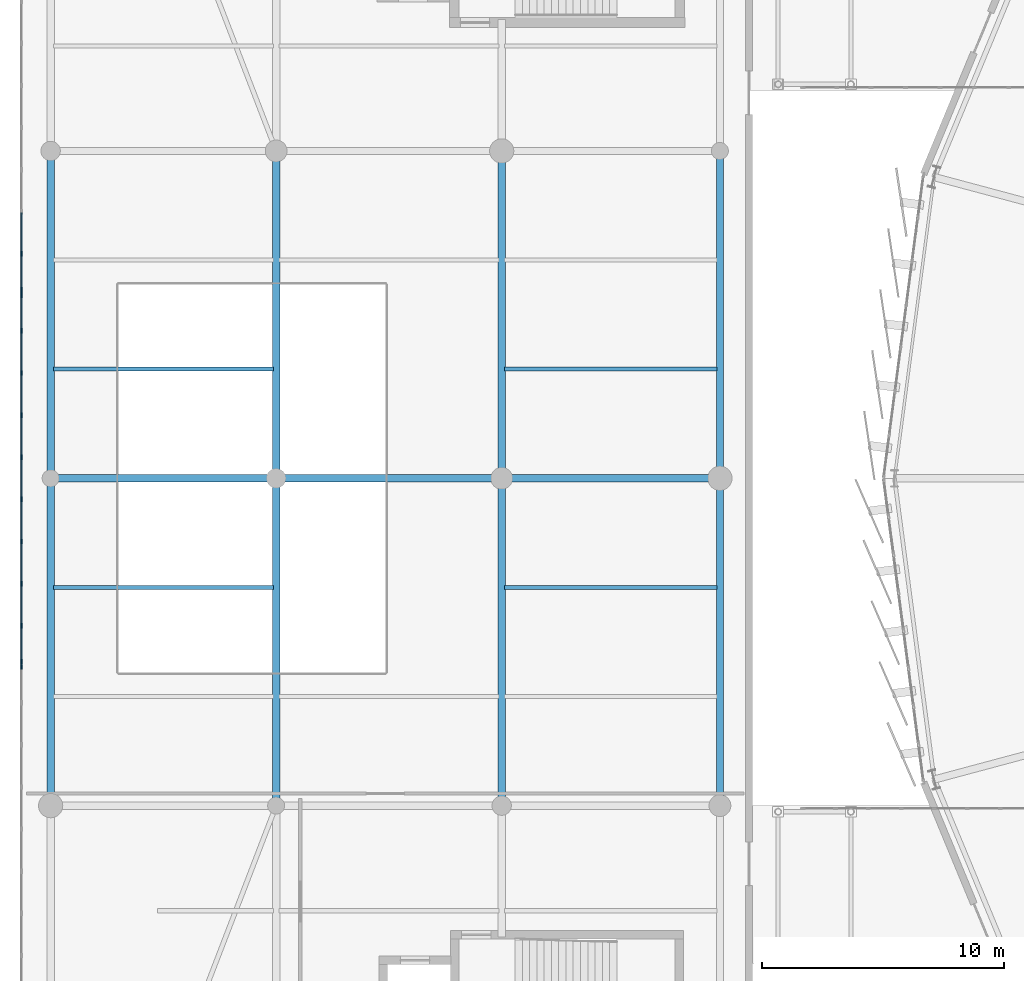
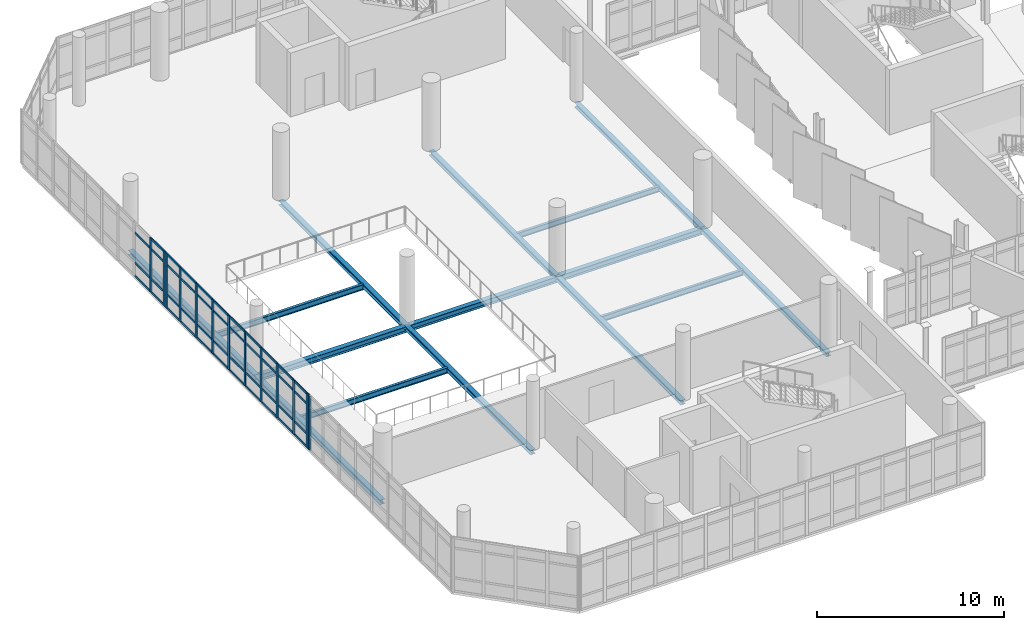
# One storey, part 46 of 125: 56 members, 15 beams, 3 elements without a shape of their own.
"""IFC4 building model written with IfcOpenShell, lengths in metres."""

from ifc_helpers import new_model, si_unit, direction, frame, origin, origin_2d, place, context, subcontext, project, spatial, rectangle, i_section, extrude, material, layer, layer_set, material_profile, profile_set, type_object, element, aggregate, save


model = new_model("IFC4")

# Units and contexts
model_context = context("Model", 3, precision=1e-05, world=origin(), true_north=direction((0.0, 1.0)))
body_context = subcontext(model_context, "Body", "Model", "MODEL_VIEW")
ifc_project = project(units=[si_unit("LENGTHUNIT", "METRE"), si_unit("AREAUNIT", "SQUARE_METRE"), si_unit("VOLUMEUNIT", "CUBIC_METRE"), si_unit("PLANEANGLEUNIT", "RADIAN"), si_unit("MASSUNIT", "GRAM", prefix="KILO")], contexts=[model_context])

# Site, building, storey
site_placement = place(None, origin())
site = spatial("IfcSite", under=ifc_project, at=site_placement, CompositionType="ELEMENT")
building_placement = place(site_placement, origin())
building = spatial("IfcBuilding", under=site, at=building_placement, Name="Sohan Crest Arena", CompositionType="ELEMENT")
storey_placement = place(building_placement, frame((0.0, 0.0, 9.0)))
storey = spatial("IfcBuildingStorey", under=building, at=storey_placement, Name="L02", CompositionType="ELEMENT", Elevation=9.0)

# Curtain wall, members
ifc_material_1 = material(Name="Thermally broken anodised aluminium", Category="aluminium")
ifc_layer = layer(ifc_material_1, 0.219970703125, Name="Thermally broken anodised aluminium")
ifc_layer_set = layer_set([ifc_layer], Name="Thermally broken anodised aluminium")
curtain_wall_type = type_object("IfcCurtainWallType", Name="ARC-CW03", PredefinedType="NOTDEFINED", material=ifc_layer_set)
curtain_wall_1_placement = place(storey_placement, origin())
curtain_wall_1 = element("IfcCurtainWall", 1, at=curtain_wall_1_placement, inside=storey, type_object=curtain_wall_type, Name="Unitised curtain wall CW-216", PredefinedType="NOTDEFINED")
ifc_material_profile_1 = material_profile(ifc_material_1, rectangle(XDim=0.070068359375, YDim=0.199951171875, at=origin_2d()), Name="ALU-MULL 70x200")
ifc_profile_set_1 = profile_set([ifc_material_profile_1], Name="Thermally broken anodised aluminium")
member_type_1 = type_object("IfcMemberType", Name="ARC-CW-ML03", PredefinedType="MULLION", material=ifc_profile_set_1)
member_1_placement = place(storey_placement, frame((14.0, 87.25390625, 0.0), z_axis=(0.0, 0.0, 1.0), x_axis=(1.0, 0.0, 0.0)))
member_1 = element("IfcMember", 2, at=member_1_placement, type_object=member_type_1, Name="CW-216 mullion 9", PredefinedType="MULLION", context=body_context, shape_type="SweptSolid", body=[
    extrude(rectangle(XDim=0.070068359375, YDim=0.199951171875, at=origin_2d()), origin(), (0.0, 0.0, 1.0), 3.550048828125),
])
member_2_placement = place(storey_placement, frame((14.0, 85.552001953125, 0.0), z_axis=(0.0, 0.0, 1.0), x_axis=(1.0, 0.0, 0.0)))
member_2 = element("IfcMember", 3, at=member_2_placement, type_object=member_type_1, Name="CW-216 mullion 10", PredefinedType="MULLION", context=body_context, shape_type="SweptSolid", body=[
    extrude(rectangle(XDim=0.070068359375, YDim=0.199951171875, at=origin_2d()), origin(), (0.0, 0.0, 1.0), 3.550048828125),
])

curtain_wall_2_placement = place(storey_placement, origin())
curtain_wall_2 = element("IfcCurtainWall", 4, at=curtain_wall_2_placement, inside=storey, type_object=curtain_wall_type, Name="Unitised curtain wall CW-217", PredefinedType="NOTDEFINED")
member_3_placement = place(storey_placement, frame((14.0, 85.781982421875, 0.0), z_axis=(0.0, 0.0, 1.0), x_axis=(1.0, 0.0, 0.0)))
member_3 = element("IfcMember", 5, at=member_3_placement, type_object=member_type_1, Name="CW-217 mullion 1", PredefinedType="MULLION", context=body_context, shape_type="SweptSolid", body=[
    extrude(rectangle(XDim=0.070068359375, YDim=0.199951171875, at=origin_2d()), origin(), (0.0, 0.0, 1.0), 3.550048828125),
])
member_4_placement = place(storey_placement, frame((14.0, 84.079833984375, 0.0), z_axis=(0.0, 0.0, 1.0), x_axis=(1.0, 0.0, 0.0)))
member_4 = element("IfcMember", 6, at=member_4_placement, type_object=member_type_1, Name="CW-217 mullion 2", PredefinedType="MULLION", context=body_context, shape_type="SweptSolid", body=[
    extrude(rectangle(XDim=0.070068359375, YDim=0.199951171875, at=origin_2d()), origin(), (0.0, 0.0, 1.0), 3.550048828125),
])
member_5_placement = place(storey_placement, frame((14.0, 82.3427734375, 0.0), z_axis=(0.0, 0.0, 1.0), x_axis=(1.0, 0.0, 0.0)))
member_5 = element("IfcMember", 7, at=member_5_placement, type_object=member_type_1, Name="CW-217 mullion 3", PredefinedType="MULLION", context=body_context, shape_type="SweptSolid", body=[
    extrude(rectangle(XDim=0.070068359375, YDim=0.199951171875, at=origin_2d()), origin(), (0.0, 0.0, 1.0), 3.550048828125),
])
member_6_placement = place(storey_placement, frame((14.0, 80.605712890625, 0.0), z_axis=(0.0, 0.0, 1.0), x_axis=(1.0, 0.0, 0.0)))
member_6 = element("IfcMember", 8, at=member_6_placement, type_object=member_type_1, Name="CW-217 mullion 4", PredefinedType="MULLION", context=body_context, shape_type="SweptSolid", body=[
    extrude(rectangle(XDim=0.070068359375, YDim=0.199951171875, at=origin_2d()), origin(), (0.0, 0.0, 1.0), 3.550048828125),
])
member_7_placement = place(storey_placement, frame((14.0, 78.86865234375, 0.0), z_axis=(0.0, 0.0, 1.0), x_axis=(1.0, 0.0, 0.0)))
member_7 = element("IfcMember", 9, at=member_7_placement, type_object=member_type_1, Name="CW-217 mullion 5", PredefinedType="MULLION", context=body_context, shape_type="SweptSolid", body=[
    extrude(rectangle(XDim=0.070068359375, YDim=0.199951171875, at=origin_2d()), origin(), (0.0, 0.0, 1.0), 3.550048828125),
])
member_8_placement = place(storey_placement, frame((14.0, 77.13134765625, 0.0), z_axis=(0.0, 0.0, 1.0), x_axis=(1.0, 0.0, 0.0)))
member_8 = element("IfcMember", 10, at=member_8_placement, type_object=member_type_1, Name="CW-217 mullion 6", PredefinedType="MULLION", context=body_context, shape_type="SweptSolid", body=[
    extrude(rectangle(XDim=0.070068359375, YDim=0.199951171875, at=origin_2d()), origin(), (0.0, 0.0, 1.0), 3.550048828125),
])
member_9_placement = place(storey_placement, frame((14.0, 75.394287109375, 0.0), z_axis=(0.0, 0.0, 1.0), x_axis=(1.0, 0.0, 0.0)))
member_9 = element("IfcMember", 11, at=member_9_placement, type_object=member_type_1, Name="CW-217 mullion 7", PredefinedType="MULLION", context=body_context, shape_type="SweptSolid", body=[
    extrude(rectangle(XDim=0.070068359375, YDim=0.199951171875, at=origin_2d()), origin(), (0.0, 0.0, 1.0), 3.550048828125),
])
member_10_placement = place(storey_placement, frame((14.0, 73.6572265625, 0.0), z_axis=(0.0, 0.0, 1.0), x_axis=(1.0, 0.0, 0.0)))
member_10 = element("IfcMember", 12, at=member_10_placement, type_object=member_type_1, Name="CW-217 mullion 8", PredefinedType="MULLION", context=body_context, shape_type="SweptSolid", body=[
    extrude(rectangle(XDim=0.070068359375, YDim=0.199951171875, at=origin_2d()), origin(), (0.0, 0.0, 1.0), 3.550048828125),
])
member_11_placement = place(storey_placement, frame((14.0, 71.920166015625, 0.0), z_axis=(0.0, 0.0, 1.0), x_axis=(1.0, 0.0, 0.0)))
member_11 = element("IfcMember", 13, at=member_11_placement, type_object=member_type_1, Name="CW-217 mullion 9", PredefinedType="MULLION", context=body_context, shape_type="SweptSolid", body=[
    extrude(rectangle(XDim=0.070068359375, YDim=0.199951171875, at=origin_2d()), origin(), (0.0, 0.0, 1.0), 3.550048828125),
])
member_12_placement = place(storey_placement, frame((14.0, 70.218017578125, 0.0), z_axis=(0.0, 0.0, 1.0), x_axis=(1.0, 0.0, 0.0)))
member_12 = element("IfcMember", 14, at=member_12_placement, type_object=member_type_1, Name="CW-217 mullion 10", PredefinedType="MULLION", context=body_context, shape_type="SweptSolid", body=[
    extrude(rectangle(XDim=0.070068359375, YDim=0.199951171875, at=origin_2d()), origin(), (0.0, 0.0, 1.0), 3.550048828125),
])

# Curtain wall, member
curtain_wall_3_placement = place(storey_placement, origin())
curtain_wall_3 = element("IfcCurtainWall", 15, at=curtain_wall_3_placement, inside=storey, type_object=curtain_wall_type, Name="Unitised curtain wall CW-218", PredefinedType="NOTDEFINED")
member_13_placement = place(storey_placement, frame((14.0, 70.447998046875, 0.0), z_axis=(0.0, 0.0, 1.0), x_axis=(1.0, 0.0, 0.0)))
member_13 = element("IfcMember", 16, at=member_13_placement, type_object=member_type_1, Name="CW-218 mullion 1", PredefinedType="MULLION", context=body_context, shape_type="SweptSolid", body=[
    extrude(rectangle(XDim=0.070068359375, YDim=0.199951171875, at=origin_2d()), origin(), (0.0, 0.0, 1.0), 3.550048828125),
])
aggregate(curtain_wall_3, [member_13])

# Member
ifc_material_profile_2 = material_profile(ifc_material_1, rectangle(XDim=0.06494140625, YDim=0.139892578125, at=origin_2d()), Name="ALU-TRAN 65x140")
ifc_profile_set_2 = profile_set([ifc_material_profile_2], Name="Thermally broken anodised aluminium")
member_type_2 = type_object("IfcMemberType", Name="ARC-CW-TR02", PredefinedType="USERDEFINED", material=ifc_profile_set_2)
member_14_placement = place(storey_placement, frame((14.0, 88.9560546875, 0.032470703125), z_axis=(0.0, -1.0, 0.0), x_axis=(1.0, 0.0, 0.0)))
member_14 = element("IfcMember", 17, at=member_14_placement, type_object=member_type_2, Name="CW-216 transom 8.1", ObjectType="TRANSOM", PredefinedType="USERDEFINED", context=body_context, shape_type="SweptSolid", body=[
    extrude(rectangle(XDim=0.06494140625, YDim=0.139892578125, at=origin_2d()), origin(), (0.0, 0.0, 1.0), 1.6669921875),
])

member_15_placement = place(storey_placement, frame((14.0, 88.9560546875, 0.89990234375), z_axis=(0.0, -1.0, 0.0), x_axis=(1.0, 0.0, 0.0)))
member_15 = element("IfcMember", 18, at=member_15_placement, type_object=member_type_2, Name="CW-216 transom 8.2", ObjectType="TRANSOM", PredefinedType="USERDEFINED", context=body_context, shape_type="SweptSolid", body=[
    extrude(rectangle(XDim=0.06494140625, YDim=0.139892578125, at=origin_2d()), origin(), (0.0, 0.0, 1.0), 1.6669921875),
])

member_16_placement = place(storey_placement, frame((14.0, 88.9560546875, 2.85009765625), z_axis=(0.0, -1.0, 0.0), x_axis=(1.0, 0.0, 0.0)))
member_16 = element("IfcMember", 19, at=member_16_placement, type_object=member_type_2, Name="CW-216 transom 8.3", ObjectType="TRANSOM", PredefinedType="USERDEFINED", context=body_context, shape_type="SweptSolid", body=[
    extrude(rectangle(XDim=0.06494140625, YDim=0.139892578125, at=origin_2d()), origin(), (0.0, 0.0, 1.0), 1.6669921875),
])

member_17_placement = place(storey_placement, frame((14.0, 87.218994140625, 0.032470703125), z_axis=(0.0, -1.0, 0.0), x_axis=(1.0, 0.0, 0.0)))
member_17 = element("IfcMember", 20, at=member_17_placement, type_object=member_type_2, Name="CW-216 transom 9.1", ObjectType="TRANSOM", PredefinedType="USERDEFINED", context=body_context, shape_type="SweptSolid", body=[
    extrude(rectangle(XDim=0.06494140625, YDim=0.139892578125, at=origin_2d()), origin(), (0.0, 0.0, 1.0), 1.632080078125),
])

member_18_placement = place(storey_placement, frame((14.0, 87.218994140625, 0.89990234375), z_axis=(0.0, -1.0, 0.0), x_axis=(1.0, 0.0, 0.0)))
member_18 = element("IfcMember", 21, at=member_18_placement, type_object=member_type_2, Name="CW-216 transom 9.2", ObjectType="TRANSOM", PredefinedType="USERDEFINED", context=body_context, shape_type="SweptSolid", body=[
    extrude(rectangle(XDim=0.06494140625, YDim=0.139892578125, at=origin_2d()), origin(), (0.0, 0.0, 1.0), 1.632080078125),
])

member_19_placement = place(storey_placement, frame((14.0, 87.218994140625, 2.85009765625), z_axis=(0.0, -1.0, 0.0), x_axis=(1.0, 0.0, 0.0)))
member_19 = element("IfcMember", 22, at=member_19_placement, type_object=member_type_2, Name="CW-216 transom 9.3", ObjectType="TRANSOM", PredefinedType="USERDEFINED", context=body_context, shape_type="SweptSolid", body=[
    extrude(rectangle(XDim=0.06494140625, YDim=0.139892578125, at=origin_2d()), origin(), (0.0, 0.0, 1.0), 1.632080078125),
])

member_20_placement = place(storey_placement, frame((14.0, 87.218994140625, 3.517578125), z_axis=(0.0, -1.0, 0.0), x_axis=(1.0, 0.0, 0.0)))
member_20 = element("IfcMember", 23, at=member_20_placement, type_object=member_type_2, Name="CW-216 transom 9.4", ObjectType="TRANSOM", PredefinedType="USERDEFINED", context=body_context, shape_type="SweptSolid", body=[
    extrude(rectangle(XDim=0.06494140625, YDim=0.139892578125, at=origin_2d()), origin(), (0.0, 0.0, 1.0), 1.632080078125),
])

aggregate(curtain_wall_1, [member_1, member_2, member_14, member_15, member_16, member_17, member_18, member_19, member_20])

member_21_placement = place(storey_placement, frame((14.0, 85.7470703125, 0.032470703125), z_axis=(0.0, -1.0, 0.0), x_axis=(1.0, 0.0, 0.0)))
member_21 = element("IfcMember", 24, at=member_21_placement, type_object=member_type_2, Name="CW-217 transom 1.1", ObjectType="TRANSOM", PredefinedType="USERDEFINED", context=body_context, shape_type="SweptSolid", body=[
    extrude(rectangle(XDim=0.06494140625, YDim=0.139892578125, at=origin_2d()), origin(), (0.0, 0.0, 1.0), 1.632080078125),
])

member_22_placement = place(storey_placement, frame((14.0, 85.7470703125, 0.89990234375), z_axis=(0.0, -1.0, 0.0), x_axis=(1.0, 0.0, 0.0)))
member_22 = element("IfcMember", 25, at=member_22_placement, type_object=member_type_2, Name="CW-217 transom 1.2", ObjectType="TRANSOM", PredefinedType="USERDEFINED", context=body_context, shape_type="SweptSolid", body=[
    extrude(rectangle(XDim=0.06494140625, YDim=0.139892578125, at=origin_2d()), origin(), (0.0, 0.0, 1.0), 1.632080078125),
])

member_23_placement = place(storey_placement, frame((14.0, 85.7470703125, 2.85009765625), z_axis=(0.0, -1.0, 0.0), x_axis=(1.0, 0.0, 0.0)))
member_23 = element("IfcMember", 26, at=member_23_placement, type_object=member_type_2, Name="CW-217 transom 1.3", ObjectType="TRANSOM", PredefinedType="USERDEFINED", context=body_context, shape_type="SweptSolid", body=[
    extrude(rectangle(XDim=0.06494140625, YDim=0.139892578125, at=origin_2d()), origin(), (0.0, 0.0, 1.0), 1.632080078125),
])

member_24_placement = place(storey_placement, frame((14.0, 85.7470703125, 3.517578125), z_axis=(0.0, -1.0, 0.0), x_axis=(1.0, 0.0, 0.0)))
member_24 = element("IfcMember", 27, at=member_24_placement, type_object=member_type_2, Name="CW-217 transom 1.4", ObjectType="TRANSOM", PredefinedType="USERDEFINED", context=body_context, shape_type="SweptSolid", body=[
    extrude(rectangle(XDim=0.06494140625, YDim=0.139892578125, at=origin_2d()), origin(), (0.0, 0.0, 1.0), 1.632080078125),
])

member_25_placement = place(storey_placement, frame((14.0, 84.044921875, 0.032470703125), z_axis=(0.0, -1.0, 0.0), x_axis=(1.0, 0.0, 0.0)))
member_25 = element("IfcMember", 28, at=member_25_placement, type_object=member_type_2, Name="CW-217 transom 2.1", ObjectType="TRANSOM", PredefinedType="USERDEFINED", context=body_context, shape_type="SweptSolid", body=[
    extrude(rectangle(XDim=0.06494140625, YDim=0.139892578125, at=origin_2d()), origin(), (0.0, 0.0, 1.0), 1.667236328125),
])

member_26_placement = place(storey_placement, frame((14.0, 84.044921875, 0.89990234375), z_axis=(0.0, -1.0, 0.0), x_axis=(1.0, 0.0, 0.0)))
member_26 = element("IfcMember", 29, at=member_26_placement, type_object=member_type_2, Name="CW-217 transom 2.2", ObjectType="TRANSOM", PredefinedType="USERDEFINED", context=body_context, shape_type="SweptSolid", body=[
    extrude(rectangle(XDim=0.06494140625, YDim=0.139892578125, at=origin_2d()), origin(), (0.0, 0.0, 1.0), 1.667236328125),
])

member_27_placement = place(storey_placement, frame((14.0, 84.044921875, 2.85009765625), z_axis=(0.0, -1.0, 0.0), x_axis=(1.0, 0.0, 0.0)))
member_27 = element("IfcMember", 30, at=member_27_placement, type_object=member_type_2, Name="CW-217 transom 2.3", ObjectType="TRANSOM", PredefinedType="USERDEFINED", context=body_context, shape_type="SweptSolid", body=[
    extrude(rectangle(XDim=0.06494140625, YDim=0.139892578125, at=origin_2d()), origin(), (0.0, 0.0, 1.0), 1.667236328125),
])

member_28_placement = place(storey_placement, frame((14.0, 84.044921875, 3.517578125), z_axis=(0.0, -1.0, 0.0), x_axis=(1.0, 0.0, 0.0)))
member_28 = element("IfcMember", 31, at=member_28_placement, type_object=member_type_2, Name="CW-217 transom 2.4", ObjectType="TRANSOM", PredefinedType="USERDEFINED", context=body_context, shape_type="SweptSolid", body=[
    extrude(rectangle(XDim=0.06494140625, YDim=0.139892578125, at=origin_2d()), origin(), (0.0, 0.0, 1.0), 1.667236328125),
])

member_29_placement = place(storey_placement, frame((14.0, 82.307861328125, 0.032470703125), z_axis=(0.0, -1.0, 0.0), x_axis=(1.0, 0.0, 0.0)))
member_29 = element("IfcMember", 32, at=member_29_placement, type_object=member_type_2, Name="CW-217 transom 3.1", ObjectType="TRANSOM", PredefinedType="USERDEFINED", context=body_context, shape_type="SweptSolid", body=[
    extrude(rectangle(XDim=0.06494140625, YDim=0.139892578125, at=origin_2d()), origin(), (0.0, 0.0, 1.0), 1.667236328125),
])

member_30_placement = place(storey_placement, frame((14.0, 82.307861328125, 0.89990234375), z_axis=(0.0, -1.0, 0.0), x_axis=(1.0, 0.0, 0.0)))
member_30 = element("IfcMember", 33, at=member_30_placement, type_object=member_type_2, Name="CW-217 transom 3.2", ObjectType="TRANSOM", PredefinedType="USERDEFINED", context=body_context, shape_type="SweptSolid", body=[
    extrude(rectangle(XDim=0.06494140625, YDim=0.139892578125, at=origin_2d()), origin(), (0.0, 0.0, 1.0), 1.667236328125),
])

member_31_placement = place(storey_placement, frame((14.0, 82.307861328125, 2.85009765625), z_axis=(0.0, -1.0, 0.0), x_axis=(1.0, 0.0, 0.0)))
member_31 = element("IfcMember", 34, at=member_31_placement, type_object=member_type_2, Name="CW-217 transom 3.3", ObjectType="TRANSOM", PredefinedType="USERDEFINED", context=body_context, shape_type="SweptSolid", body=[
    extrude(rectangle(XDim=0.06494140625, YDim=0.139892578125, at=origin_2d()), origin(), (0.0, 0.0, 1.0), 1.667236328125),
])

member_32_placement = place(storey_placement, frame((14.0, 82.307861328125, 3.517578125), z_axis=(0.0, -1.0, 0.0), x_axis=(1.0, 0.0, 0.0)))
member_32 = element("IfcMember", 35, at=member_32_placement, type_object=member_type_2, Name="CW-217 transom 3.4", ObjectType="TRANSOM", PredefinedType="USERDEFINED", context=body_context, shape_type="SweptSolid", body=[
    extrude(rectangle(XDim=0.06494140625, YDim=0.139892578125, at=origin_2d()), origin(), (0.0, 0.0, 1.0), 1.667236328125),
])

member_33_placement = place(storey_placement, frame((14.0, 80.570556640625, 0.032470703125), z_axis=(0.0, -1.0, 0.0), x_axis=(1.0, 0.0, 0.0)))
member_33 = element("IfcMember", 36, at=member_33_placement, type_object=member_type_2, Name="CW-217 transom 4.1", ObjectType="TRANSOM", PredefinedType="USERDEFINED", context=body_context, shape_type="SweptSolid", body=[
    extrude(rectangle(XDim=0.06494140625, YDim=0.139892578125, at=origin_2d()), origin(), (0.0, 0.0, 1.0), 1.6669921875),
])

member_34_placement = place(storey_placement, frame((14.0, 80.570556640625, 0.89990234375), z_axis=(0.0, -1.0, 0.0), x_axis=(1.0, 0.0, 0.0)))
member_34 = element("IfcMember", 37, at=member_34_placement, type_object=member_type_2, Name="CW-217 transom 4.2", ObjectType="TRANSOM", PredefinedType="USERDEFINED", context=body_context, shape_type="SweptSolid", body=[
    extrude(rectangle(XDim=0.06494140625, YDim=0.139892578125, at=origin_2d()), origin(), (0.0, 0.0, 1.0), 1.6669921875),
])

member_35_placement = place(storey_placement, frame((14.0, 80.570556640625, 2.85009765625), z_axis=(0.0, -1.0, 0.0), x_axis=(1.0, 0.0, 0.0)))
member_35 = element("IfcMember", 38, at=member_35_placement, type_object=member_type_2, Name="CW-217 transom 4.3", ObjectType="TRANSOM", PredefinedType="USERDEFINED", context=body_context, shape_type="SweptSolid", body=[
    extrude(rectangle(XDim=0.06494140625, YDim=0.139892578125, at=origin_2d()), origin(), (0.0, 0.0, 1.0), 1.6669921875),
])

member_36_placement = place(storey_placement, frame((14.0, 80.570556640625, 3.517578125), z_axis=(0.0, -1.0, 0.0), x_axis=(1.0, 0.0, 0.0)))
member_36 = element("IfcMember", 39, at=member_36_placement, type_object=member_type_2, Name="CW-217 transom 4.4", ObjectType="TRANSOM", PredefinedType="USERDEFINED", context=body_context, shape_type="SweptSolid", body=[
    extrude(rectangle(XDim=0.06494140625, YDim=0.139892578125, at=origin_2d()), origin(), (0.0, 0.0, 1.0), 1.6669921875),
])

member_37_placement = place(storey_placement, frame((14.0, 78.83349609375, 0.032470703125), z_axis=(0.0, -1.0, 0.0), x_axis=(1.0, 0.0, 0.0)))
member_37 = element("IfcMember", 40, at=member_37_placement, type_object=member_type_2, Name="CW-217 transom 5.1", ObjectType="TRANSOM", PredefinedType="USERDEFINED", context=body_context, shape_type="SweptSolid", body=[
    extrude(rectangle(XDim=0.06494140625, YDim=0.139892578125, at=origin_2d()), origin(), (0.0, 0.0, 1.0), 1.6669921875),
])

member_38_placement = place(storey_placement, frame((14.0, 78.83349609375, 0.89990234375), z_axis=(0.0, -1.0, 0.0), x_axis=(1.0, 0.0, 0.0)))
member_38 = element("IfcMember", 41, at=member_38_placement, type_object=member_type_2, Name="CW-217 transom 5.2", ObjectType="TRANSOM", PredefinedType="USERDEFINED", context=body_context, shape_type="SweptSolid", body=[
    extrude(rectangle(XDim=0.06494140625, YDim=0.139892578125, at=origin_2d()), origin(), (0.0, 0.0, 1.0), 1.6669921875),
])

member_39_placement = place(storey_placement, frame((14.0, 78.83349609375, 2.85009765625), z_axis=(0.0, -1.0, 0.0), x_axis=(1.0, 0.0, 0.0)))
member_39 = element("IfcMember", 42, at=member_39_placement, type_object=member_type_2, Name="CW-217 transom 5.3", ObjectType="TRANSOM", PredefinedType="USERDEFINED", context=body_context, shape_type="SweptSolid", body=[
    extrude(rectangle(XDim=0.06494140625, YDim=0.139892578125, at=origin_2d()), origin(), (0.0, 0.0, 1.0), 1.6669921875),
])

member_40_placement = place(storey_placement, frame((14.0, 78.83349609375, 3.517578125), z_axis=(0.0, -1.0, 0.0), x_axis=(1.0, 0.0, 0.0)))
member_40 = element("IfcMember", 43, at=member_40_placement, type_object=member_type_2, Name="CW-217 transom 5.4", ObjectType="TRANSOM", PredefinedType="USERDEFINED", context=body_context, shape_type="SweptSolid", body=[
    extrude(rectangle(XDim=0.06494140625, YDim=0.139892578125, at=origin_2d()), origin(), (0.0, 0.0, 1.0), 1.6669921875),
])

member_41_placement = place(storey_placement, frame((14.0, 77.096435546875, 0.032470703125), z_axis=(0.0, -1.0, 0.0), x_axis=(1.0, 0.0, 0.0)))
member_41 = element("IfcMember", 44, at=member_41_placement, type_object=member_type_2, Name="CW-217 transom 6.1", ObjectType="TRANSOM", PredefinedType="USERDEFINED", context=body_context, shape_type="SweptSolid", body=[
    extrude(rectangle(XDim=0.06494140625, YDim=0.139892578125, at=origin_2d()), origin(), (0.0, 0.0, 1.0), 1.6669921875),
])

member_42_placement = place(storey_placement, frame((14.0, 77.096435546875, 0.89990234375), z_axis=(0.0, -1.0, 0.0), x_axis=(1.0, 0.0, 0.0)))
member_42 = element("IfcMember", 45, at=member_42_placement, type_object=member_type_2, Name="CW-217 transom 6.2", ObjectType="TRANSOM", PredefinedType="USERDEFINED", context=body_context, shape_type="SweptSolid", body=[
    extrude(rectangle(XDim=0.06494140625, YDim=0.139892578125, at=origin_2d()), origin(), (0.0, 0.0, 1.0), 1.6669921875),
])

member_43_placement = place(storey_placement, frame((14.0, 77.096435546875, 2.85009765625), z_axis=(0.0, -1.0, 0.0), x_axis=(1.0, 0.0, 0.0)))
member_43 = element("IfcMember", 46, at=member_43_placement, type_object=member_type_2, Name="CW-217 transom 6.3", ObjectType="TRANSOM", PredefinedType="USERDEFINED", context=body_context, shape_type="SweptSolid", body=[
    extrude(rectangle(XDim=0.06494140625, YDim=0.139892578125, at=origin_2d()), origin(), (0.0, 0.0, 1.0), 1.6669921875),
])

member_44_placement = place(storey_placement, frame((14.0, 77.096435546875, 3.517578125), z_axis=(0.0, -1.0, 0.0), x_axis=(1.0, 0.0, 0.0)))
member_44 = element("IfcMember", 47, at=member_44_placement, type_object=member_type_2, Name="CW-217 transom 6.4", ObjectType="TRANSOM", PredefinedType="USERDEFINED", context=body_context, shape_type="SweptSolid", body=[
    extrude(rectangle(XDim=0.06494140625, YDim=0.139892578125, at=origin_2d()), origin(), (0.0, 0.0, 1.0), 1.6669921875),
])

member_45_placement = place(storey_placement, frame((14.0, 75.359375, 0.032470703125), z_axis=(0.0, -1.0, 0.0), x_axis=(1.0, 0.0, 0.0)))
member_45 = element("IfcMember", 48, at=member_45_placement, type_object=member_type_2, Name="CW-217 transom 7.1", ObjectType="TRANSOM", PredefinedType="USERDEFINED", context=body_context, shape_type="SweptSolid", body=[
    extrude(rectangle(XDim=0.06494140625, YDim=0.139892578125, at=origin_2d()), origin(), (0.0, 0.0, 1.0), 1.667236328125),
])

member_46_placement = place(storey_placement, frame((14.0, 75.359375, 0.89990234375), z_axis=(0.0, -1.0, 0.0), x_axis=(1.0, 0.0, 0.0)))
member_46 = element("IfcMember", 49, at=member_46_placement, type_object=member_type_2, Name="CW-217 transom 7.2", ObjectType="TRANSOM", PredefinedType="USERDEFINED", context=body_context, shape_type="SweptSolid", body=[
    extrude(rectangle(XDim=0.06494140625, YDim=0.139892578125, at=origin_2d()), origin(), (0.0, 0.0, 1.0), 1.667236328125),
])

member_47_placement = place(storey_placement, frame((14.0, 75.359375, 2.85009765625), z_axis=(0.0, -1.0, 0.0), x_axis=(1.0, 0.0, 0.0)))
member_47 = element("IfcMember", 50, at=member_47_placement, type_object=member_type_2, Name="CW-217 transom 7.3", ObjectType="TRANSOM", PredefinedType="USERDEFINED", context=body_context, shape_type="SweptSolid", body=[
    extrude(rectangle(XDim=0.06494140625, YDim=0.139892578125, at=origin_2d()), origin(), (0.0, 0.0, 1.0), 1.667236328125),
])

member_48_placement = place(storey_placement, frame((14.0, 75.359375, 3.517578125), z_axis=(0.0, -1.0, 0.0), x_axis=(1.0, 0.0, 0.0)))
member_48 = element("IfcMember", 51, at=member_48_placement, type_object=member_type_2, Name="CW-217 transom 7.4", ObjectType="TRANSOM", PredefinedType="USERDEFINED", context=body_context, shape_type="SweptSolid", body=[
    extrude(rectangle(XDim=0.06494140625, YDim=0.139892578125, at=origin_2d()), origin(), (0.0, 0.0, 1.0), 1.667236328125),
])

member_49_placement = place(storey_placement, frame((14.0, 73.622314453125, 0.032470703125), z_axis=(0.0, -1.0, 0.0), x_axis=(1.0, 0.0, 0.0)))
member_49 = element("IfcMember", 52, at=member_49_placement, type_object=member_type_2, Name="CW-217 transom 8.1", ObjectType="TRANSOM", PredefinedType="USERDEFINED", context=body_context, shape_type="SweptSolid", body=[
    extrude(rectangle(XDim=0.06494140625, YDim=0.139892578125, at=origin_2d()), origin(), (0.0, 0.0, 1.0), 1.667236328125),
])

member_50_placement = place(storey_placement, frame((14.0, 73.622314453125, 0.89990234375), z_axis=(0.0, -1.0, 0.0), x_axis=(1.0, 0.0, 0.0)))
member_50 = element("IfcMember", 53, at=member_50_placement, type_object=member_type_2, Name="CW-217 transom 8.2", ObjectType="TRANSOM", PredefinedType="USERDEFINED", context=body_context, shape_type="SweptSolid", body=[
    extrude(rectangle(XDim=0.06494140625, YDim=0.139892578125, at=origin_2d()), origin(), (0.0, 0.0, 1.0), 1.667236328125),
])

member_51_placement = place(storey_placement, frame((14.0, 73.622314453125, 2.85009765625), z_axis=(0.0, -1.0, 0.0), x_axis=(1.0, 0.0, 0.0)))
member_51 = element("IfcMember", 54, at=member_51_placement, type_object=member_type_2, Name="CW-217 transom 8.3", ObjectType="TRANSOM", PredefinedType="USERDEFINED", context=body_context, shape_type="SweptSolid", body=[
    extrude(rectangle(XDim=0.06494140625, YDim=0.139892578125, at=origin_2d()), origin(), (0.0, 0.0, 1.0), 1.667236328125),
])

member_52_placement = place(storey_placement, frame((14.0, 73.622314453125, 3.517578125), z_axis=(0.0, -1.0, 0.0), x_axis=(1.0, 0.0, 0.0)))
member_52 = element("IfcMember", 55, at=member_52_placement, type_object=member_type_2, Name="CW-217 transom 8.4", ObjectType="TRANSOM", PredefinedType="USERDEFINED", context=body_context, shape_type="SweptSolid", body=[
    extrude(rectangle(XDim=0.06494140625, YDim=0.139892578125, at=origin_2d()), origin(), (0.0, 0.0, 1.0), 1.667236328125),
])

member_53_placement = place(storey_placement, frame((14.0, 71.885009765625, 0.032470703125), z_axis=(0.0, -1.0, 0.0), x_axis=(1.0, 0.0, 0.0)))
member_53 = element("IfcMember", 56, at=member_53_placement, type_object=member_type_2, Name="CW-217 transom 9.1", ObjectType="TRANSOM", PredefinedType="USERDEFINED", context=body_context, shape_type="SweptSolid", body=[
    extrude(rectangle(XDim=0.06494140625, YDim=0.139892578125, at=origin_2d()), origin(), (0.0, 0.0, 1.0), 1.632080078125),
])

member_54_placement = place(storey_placement, frame((14.0, 71.885009765625, 0.89990234375), z_axis=(0.0, -1.0, 0.0), x_axis=(1.0, 0.0, 0.0)))
member_54 = element("IfcMember", 57, at=member_54_placement, type_object=member_type_2, Name="CW-217 transom 9.2", ObjectType="TRANSOM", PredefinedType="USERDEFINED", context=body_context, shape_type="SweptSolid", body=[
    extrude(rectangle(XDim=0.06494140625, YDim=0.139892578125, at=origin_2d()), origin(), (0.0, 0.0, 1.0), 1.632080078125),
])

member_55_placement = place(storey_placement, frame((14.0, 71.885009765625, 2.85009765625), z_axis=(0.0, -1.0, 0.0), x_axis=(1.0, 0.0, 0.0)))
member_55 = element("IfcMember", 58, at=member_55_placement, type_object=member_type_2, Name="CW-217 transom 9.3", ObjectType="TRANSOM", PredefinedType="USERDEFINED", context=body_context, shape_type="SweptSolid", body=[
    extrude(rectangle(XDim=0.06494140625, YDim=0.139892578125, at=origin_2d()), origin(), (0.0, 0.0, 1.0), 1.632080078125),
])

member_56_placement = place(storey_placement, frame((14.0, 71.885009765625, 3.517578125), z_axis=(0.0, -1.0, 0.0), x_axis=(1.0, 0.0, 0.0)))
member_56 = element("IfcMember", 59, at=member_56_placement, type_object=member_type_2, Name="CW-217 transom 9.4", ObjectType="TRANSOM", PredefinedType="USERDEFINED", context=body_context, shape_type="SweptSolid", body=[
    extrude(rectangle(XDim=0.06494140625, YDim=0.139892578125, at=origin_2d()), origin(), (0.0, 0.0, 1.0), 1.632080078125),
])

aggregate(curtain_wall_2, [member_3, member_4, member_5, member_6, member_7, member_8, member_9, member_10, member_11, member_12, member_21, member_22, member_23, member_24, member_25, member_26, member_27, member_28, member_29, member_30, member_31, member_32, member_33, member_34, member_35, member_36, member_37, member_38, member_39, member_40, member_41, member_42, member_43, member_44, member_45, member_46, member_47, member_48, member_49, member_50, member_51, member_52, member_53, member_54, member_55, member_56])

# Beams
ifc_material_2 = material(Name="Steel S355", Category="steel")
ifc_material_profile_3 = material_profile(ifc_material_2, i_section(OverallWidth=0.169921875, OverallDepth=0.360107421875, WebThickness=0.008056640625, FlangeThickness=0.0126953125, at=origin_2d()), Name="IPE 360")
ifc_profile_set_3 = profile_set([ifc_material_profile_3], Name="Steel S355")
beam_type_1 = type_object("IfcBeamType", Name="STR-BM-B02", PredefinedType="JOIST", material=ifc_profile_set_3)
beam_1_placement = place(storey_placement, frame((15.31005859375, 73.5, -0.389892578125), z_axis=(1.0, 0.0, 0.0), x_axis=(0.0, 1.0, 0.0)))
element("IfcBeam", 60, at=beam_1_placement, inside=storey, type_object=beam_type_1, Name="Structural beam J-L02-2061", PredefinedType="JOIST", context=body_context, shape_type="SweptSolid", body=[
    extrude(i_section(OverallWidth=0.169921875, OverallDepth=0.360107421875, WebThickness=0.008056640625, FlangeThickness=0.0126953125, at=origin_2d()), origin(), (0.0, 0.0, 1.0), 9.079833984375),
])
beam_2_placement = place(storey_placement, frame((33.909912109375, 73.5, -0.389892578125), z_axis=(1.0, 0.0, 0.0), x_axis=(0.0, 1.0, 0.0)))
element("IfcBeam", 61, at=beam_2_placement, inside=storey, type_object=beam_type_1, Name="Structural beam J-L02-2066", PredefinedType="JOIST", context=body_context, shape_type="SweptSolid", body=[
    extrude(i_section(OverallWidth=0.169921875, OverallDepth=0.360107421875, WebThickness=0.008056640625, FlangeThickness=0.0126953125, at=origin_2d()), origin(), (0.0, 0.0, 1.0), 8.780029296875),
])
beam_3_placement = place(storey_placement, frame((15.31005859375, 82.5, -0.389892578125), z_axis=(1.0, 0.0, 0.0), x_axis=(0.0, 1.0, 0.0)))
element("IfcBeam", 62, at=beam_3_placement, inside=storey, type_object=beam_type_1, Name="Structural beam J-L02-2068", PredefinedType="JOIST", context=body_context, shape_type="SweptSolid", body=[
    extrude(i_section(OverallWidth=0.169921875, OverallDepth=0.360107421875, WebThickness=0.008056640625, FlangeThickness=0.0126953125, at=origin_2d()), origin(), (0.0, 0.0, 1.0), 9.079833984375),
])
beam_4_placement = place(storey_placement, frame((33.909912109375, 82.5, -0.389892578125), z_axis=(1.0, 0.0, 0.0), x_axis=(0.0, 1.0, 0.0)))
element("IfcBeam", 63, at=beam_4_placement, inside=storey, type_object=beam_type_1, Name="Structural beam J-L02-2073", PredefinedType="JOIST", context=body_context, shape_type="SweptSolid", body=[
    extrude(i_section(OverallWidth=0.169921875, OverallDepth=0.360107421875, WebThickness=0.008056640625, FlangeThickness=0.0126953125, at=origin_2d()), origin(), (0.0, 0.0, 1.0), 8.780029296875),
])
ifc_material_profile_4 = material_profile(ifc_material_2, i_section(OverallWidth=0.300048828125, OverallDepth=0.2900390625, WebThickness=0.008544921875, FlangeThickness=0.013916015625, at=origin_2d()), Name="HEA 300")
ifc_profile_set_4 = profile_set([ifc_material_profile_4], Name="Steel S355")
beam_type_2 = type_object("IfcBeamType", Name="STR-BM-B08", PredefinedType="BEAM", material=ifc_profile_set_4)
for number, where, z_axis, x_axis, name in (
    (64, (15.199951171875, 64.5, -0.35498046875), (0.0, 1.0, 0.0), (-1.0, 0.0, 0.0), "Structural beam G-L02-2035"),
    (65, (15.199951171875, 78.0, -0.35498046875), (0.0, 1.0, 0.0), (-1.0, 0.0, 0.0), "Structural beam G-L02-2036"),
    (66, (24.5, 64.5, -0.35498046875), (0.0, 1.0, 0.0), (-1.0, 0.0, 0.0), "Structural beam G-L02-2039"),
    (67, (24.5, 78.0, -0.35498046875), (0.0, 1.0, 0.0), (-1.0, 0.0, 0.0), "Structural beam G-L02-2040"),
    (68, (33.800048828125, 64.5, -0.35498046875), (0.0, 1.0, 0.0), (-1.0, 0.0, 0.0), "Structural beam G-L02-2044"),
    (69, (33.800048828125, 78.0, -0.35498046875), (0.0, 1.0, 0.0), (-1.0, 0.0, 0.0), "Structural beam G-L02-2045"),
    (70, (42.800048828125, 64.5, -0.35498046875), (0.0, 1.0, 0.0), (-1.0, 0.0, 0.0), "Structural beam G-L02-2049"),
    (71, (42.800048828125, 78.0, -0.35498046875), (0.0, 1.0, 0.0), (-1.0, 0.0, 0.0), "Structural beam G-L02-2050"),
):
    element("IfcBeam", number, at=place(storey_placement, frame(where, z_axis=z_axis, x_axis=x_axis)), inside=storey, type_object=beam_type_2, Name=name, PredefinedType="BEAM", context=body_context, shape_type="SweptSolid", body=[
        extrude(i_section(OverallWidth=0.300048828125, OverallDepth=0.2900390625, WebThickness=0.008544921875, FlangeThickness=0.013916015625, at=origin_2d()), origin(), (0.0, 0.0, 1.0), 13.5),
    ])
ifc_material_profile_5 = material_profile(ifc_material_2, i_section(OverallWidth=0.300048828125, OverallDepth=0.389892578125, WebThickness=0.010986328125, FlangeThickness=0.01904296875, at=origin_2d()), Name="HEA 400")
ifc_profile_set_5 = profile_set([ifc_material_profile_5], Name="Steel S355")
beam_type_3 = type_object("IfcBeamType", Name="STR-BM-B09", PredefinedType="BEAM", material=ifc_profile_set_5)
for number, where, z_axis, x_axis, name in (
    (72, (15.199951171875, 78.0, -0.405029296875), (1.0, 0.0, 0.0), (0.0, 1.0, 0.0), "Structural beam G-L02-2067"),
    (73, (24.5, 78.0, -0.405029296875), (1.0, 0.0, 0.0), (0.0, 1.0, 0.0), "Structural beam G-L02-2070"),
):
    element("IfcBeam", number, at=place(storey_placement, frame(where, z_axis=z_axis, x_axis=x_axis)), inside=storey, type_object=beam_type_3, Name=name, PredefinedType="BEAM", context=body_context, shape_type="SweptSolid", body=[
        extrude(i_section(OverallWidth=0.300048828125, OverallDepth=0.389892578125, WebThickness=0.010986328125, FlangeThickness=0.01904296875, at=origin_2d()), origin(), (0.0, 0.0, 1.0), 9.300048828125),
    ])
beam_5_placement = place(storey_placement, frame((33.800048828125, 78.0, -0.405029296875), z_axis=(1.0, 0.0, 0.0), x_axis=(0.0, 1.0, 0.0)))
element("IfcBeam", 74, at=beam_5_placement, inside=storey, type_object=beam_type_3, Name="Structural beam G-L02-2072", PredefinedType="BEAM", context=body_context, shape_type="SweptSolid", body=[
    extrude(i_section(OverallWidth=0.300048828125, OverallDepth=0.389892578125, WebThickness=0.010986328125, FlangeThickness=0.01904296875, at=origin_2d()), origin(), (0.0, 0.0, 1.0), 9.0),
])

save(model, "model.ifc")
